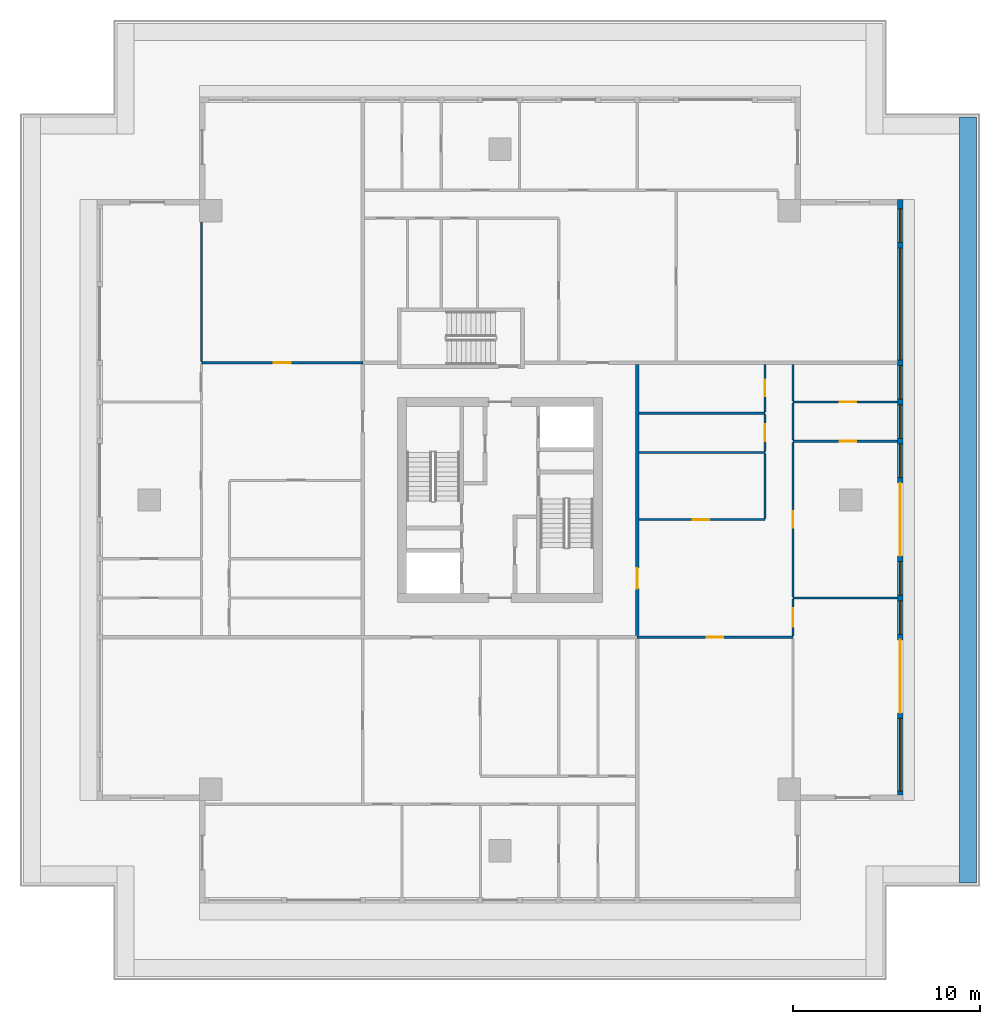
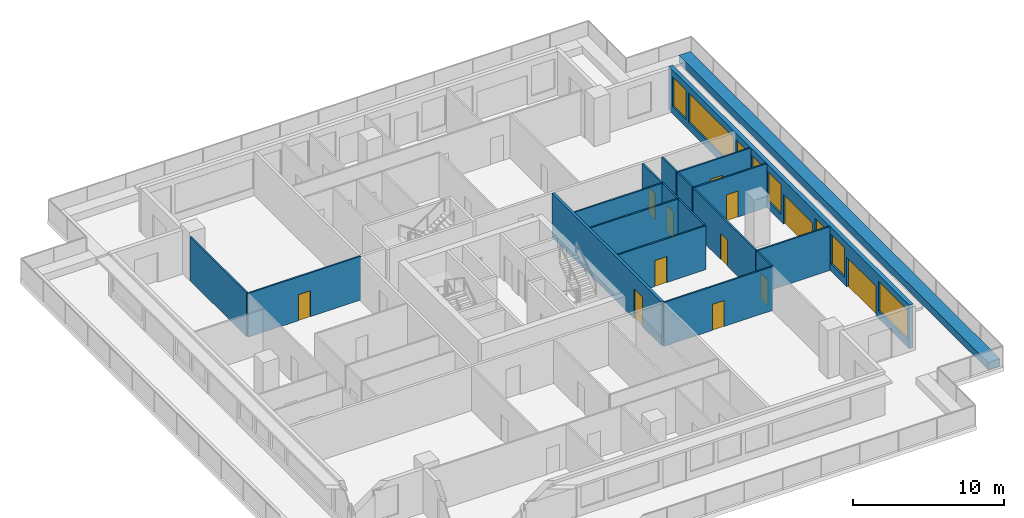
# One storey, part 4 of 11: 19 walls, 12 doors, 8 windows, 20 openings.
"""IFC4 building model written with IfcOpenShell, lengths in metres."""

from ifc_helpers import new_model, si_unit, direction, frame, frame_2d, origin, place, context, subcontext, project, spatial, rectangle, extrude, material, layer, layer_set, type_object, element, fill, save


model = new_model("IFC4")

# Units and contexts
model_context = context("Model", 3, precision=1e-05, world=origin(), true_north=direction((0.0, 1.0)))
body_context = subcontext(model_context, "Body", "Model", "MODEL_VIEW")
ifc_project = project(units=[si_unit("LENGTHUNIT", "METRE"), si_unit("AREAUNIT", "SQUARE_METRE"), si_unit("VOLUMEUNIT", "CUBIC_METRE"), si_unit("PLANEANGLEUNIT", "RADIAN"), si_unit("MASSUNIT", "GRAM", prefix="KILO")], contexts=[model_context])

# Site, building, storey
site_placement = place(None, origin())
site = spatial("IfcSite", under=ifc_project, at=site_placement, CompositionType="ELEMENT")
building_placement = place(site_placement, origin())
building = spatial("IfcBuilding", under=site, at=building_placement, Name="Khepri Terraces", CompositionType="ELEMENT")
storey_placement = place(building_placement, frame((0.0, 0.0, 292.800048828125)))
storey = spatial("IfcBuildingStorey", under=building, at=storey_placement, Name="L70", CompositionType="ELEMENT", Elevation=292.800048828125)

# Wall, opening, door
ifc_material_1 = material(Name="Fire-rated gypsum plasterboard partition, mineral wool")
ifc_layer_1 = layer(ifc_material_1, 0.199951171875, Name="Fire-rated gypsum plasterboard partition, mineral wool")
ifc_layer_set_1 = layer_set([ifc_layer_1], Name="Fire-rated gypsum plasterboard partition, mineral wool")
wall_type_1 = type_object("IfcWallType", Name="WL-CORR-200", PredefinedType="PARTITIONING", material=ifc_layer_set_1)
wall_1_placement = place(storey_placement, frame((7.35009765625, -7.25, 0.0), z_axis=(0.0, 0.0, 1.0), x_axis=(0.0, 1.0, 0.0)))
wall_1 = element("IfcWall", 1, at=wall_1_placement, inside=storey, type_object=wall_type_1, Name="Partition P-019 L70", PredefinedType="PARTITIONING", context=body_context, shape_type="SweptSolid", body=[
    extrude(rectangle(XDim=14.5, YDim=0.199951171875, at=frame_2d((7.25, 0.0))), origin(), (0.0, 0.0, 1.0), 3.550048828125),
])
opening_1_placement = place(wall_1_placement, frame((2.5, 0.0, 0.0)))
opening_1 = element("IfcOpeningElement", 2, at=opening_1_placement, cuts=wall_1, Name="Opening D1", PredefinedType="OPENING", context=body_context, shape_type="SweptSolid", body=[
    extrude(rectangle(XDim=1.10009765625, YDim=2.39990234375, at=frame_2d((0.550048828125, 1.199951171875))), frame((0.0, 0.10986328125, 0.0), z_axis=(0.0, -1.0, 0.0), x_axis=(1.0, 0.0, 0.0)), (0.0, 0.0, 1.0), 0.219970703125),
])
ifc_material_2 = material(Name="Solid-core timber door leaf, flat entrance door", Category="wood")
door_type_1 = type_object("IfcDoorType", Name="DR-ENT-1100", OperationType="NOTDEFINED", PredefinedType="DOOR", material=ifc_material_2)
door_1_placement = place(opening_1_placement, frame((1.10009765625, 0.0, 0.0), z_axis=(0.0, 0.0, 1.0), x_axis=(-1.0, 0.0, 0.0)))
door_1 = element("IfcDoor", 3, at=door_1_placement, inside=storey, type_object=door_type_1, Name="Flat B1 entrance door", OperationType="SINGLE_SWING_RIGHT", OverallHeight=2.39990234375, OverallWidth=1.10009765625, PredefinedType="DOOR", context=body_context, shape_type="SweptSolid", body=[
    extrude(rectangle(XDim=1.10009765625, YDim=2.39990234375, at=frame_2d((0.550048828125, 1.199951171875))), frame((0.0, 0.02490234375, 0.0), z_axis=(0.0, -1.0, 0.0), x_axis=(1.0, 0.0, 0.0)), (0.0, 0.0, 1.0), 0.050048828125),
])
fill(opening_1, door_1)

# Wall, openings, doors, windows
ifc_material_3 = material(Name="Precast concrete C50/60 warm stone", Category="masonry")
ifc_layer_2 = layer(ifc_material_3, 0.300048828125, Name="Precast concrete C50/60 warm stone", Category="masonry")
ifc_layer_set_2 = layer_set([ifc_layer_2], Name="Precast concrete C50/60 warm stone")
wall_type_2 = type_object("IfcWallType", Name="WL-EXT-PRECAST-300", PredefinedType="STANDARD", material=ifc_layer_set_2)
wall_2_placement = place(storey_placement, frame((21.449951171875, -15.800048828125, 0.0), z_axis=(0.0, 0.0, 1.0), x_axis=(0.0, 1.0, 0.0)))
wall_2 = element("IfcWall", 4, at=wall_2_placement, inside=storey, type_object=wall_type_2, Name="External wall L70 E", PredefinedType="STANDARD", context=body_context, shape_type="SweptSolid", body=[
    extrude(rectangle(XDim=31.900146484375, YDim=0.300048828125, at=frame_2d((15.9501953125, 0.0))), origin(), (0.0, 0.0, 1.0), 3.550048828125),
])
opening_2_placement = place(wall_2_placement, frame((0.199951171875, 0.0, 0.60009765625)))
opening_2 = element("IfcOpeningElement", 5, at=opening_2_placement, cuts=wall_2, Name="Opening WC2", PredefinedType="OPENING", context=body_context, shape_type="SweptSolid", body=[
    extrude(rectangle(XDim=3.89990234375, YDim=2.39990234375, at=frame_2d((1.949951171875, 1.199951171875))), frame((0.0, 0.16015625, 0.0), z_axis=(0.0, -1.0, 0.0), x_axis=(1.0, 0.0, 0.0)), (0.0, 0.0, 1.0), 0.320068359375),
])
opening_3_placement = place(wall_2_placement, frame((4.39990234375, 0.0, 0.0)))
opening_3 = element("IfcOpeningElement", 6, at=opening_3_placement, cuts=wall_2, Name="Opening ED-L70-01", PredefinedType="OPENING", context=body_context, shape_type="SweptSolid", body=[
    extrude(rectangle(XDim=3.89990234375, YDim=2.39990234375, at=frame_2d((1.949951171875, 1.199951171875))), frame((0.0, 0.16015625, 0.0), z_axis=(0.0, -1.0, 0.0), x_axis=(1.0, 0.0, 0.0)), (0.0, 0.0, 1.0), 0.320068359375),
])
opening_4_placement = place(wall_2_placement, frame((8.60009765625, 0.0, 0.60009765625)))
opening_4 = element("IfcOpeningElement", 7, at=opening_4_placement, cuts=wall_2, Name="Opening WC1", PredefinedType="OPENING", context=body_context, shape_type="SweptSolid", body=[
    extrude(rectangle(XDim=1.800048828125, YDim=2.39990234375, at=frame_2d((0.89990234375, 1.199951171875))), frame((0.0, 0.16015625, 0.0), z_axis=(0.0, -1.0, 0.0), x_axis=(1.0, 0.0, 0.0)), (0.0, 0.0, 1.0), 0.320068359375),
])
opening_5_placement = place(wall_2_placement, frame((10.699951171875, 0.0, 0.60009765625)))
opening_5 = element("IfcOpeningElement", 8, at=opening_5_placement, cuts=wall_2, Name="Opening WC1", PredefinedType="OPENING", context=body_context, shape_type="SweptSolid", body=[
    extrude(rectangle(XDim=1.800048828125, YDim=2.39990234375, at=frame_2d((0.89990234375, 1.199951171875))), frame((0.0, 0.16015625, 0.0), z_axis=(0.0, -1.0, 0.0), x_axis=(1.0, 0.0, 0.0)), (0.0, 0.0, 1.0), 0.320068359375),
])
opening_6_placement = place(wall_2_placement, frame((12.800048828125, 0.0, 0.0)))
opening_6 = element("IfcOpeningElement", 9, at=opening_6_placement, cuts=wall_2, Name="Opening ED-L70-02", PredefinedType="OPENING", context=body_context, shape_type="SweptSolid", body=[
    extrude(rectangle(XDim=3.89990234375, YDim=2.39990234375, at=frame_2d((1.949951171875, 1.199951171875))), frame((0.0, 0.16015625, 0.0), z_axis=(0.0, -1.0, 0.0), x_axis=(1.0, 0.0, 0.0)), (0.0, 0.0, 1.0), 0.320068359375),
])
opening_7_placement = place(wall_2_placement, frame((17.0, 0.0, 0.60009765625)))
opening_7 = element("IfcOpeningElement", 10, at=opening_7_placement, cuts=wall_2, Name="Opening WC1", PredefinedType="OPENING", context=body_context, shape_type="SweptSolid", body=[
    extrude(rectangle(XDim=1.800048828125, YDim=2.39990234375, at=frame_2d((0.89990234375, 1.199951171875))), frame((0.0, 0.16015625, 0.0), z_axis=(0.0, -1.0, 0.0), x_axis=(1.0, 0.0, 0.0)), (0.0, 0.0, 1.0), 0.320068359375),
])
opening_8_placement = place(wall_2_placement, frame((19.10009765625, 0.0, 0.60009765625)))
opening_8 = element("IfcOpeningElement", 11, at=opening_8_placement, cuts=wall_2, Name="Opening WC1", PredefinedType="OPENING", context=body_context, shape_type="SweptSolid", body=[
    extrude(rectangle(XDim=1.800048828125, YDim=2.39990234375, at=frame_2d((0.89990234375, 1.199951171875))), frame((0.0, 0.16015625, 0.0), z_axis=(0.0, -1.0, 0.0), x_axis=(1.0, 0.0, 0.0)), (0.0, 0.0, 1.0), 0.320068359375),
])
opening_9_placement = place(wall_2_placement, frame((21.199951171875, 0.0, 0.60009765625)))
opening_9 = element("IfcOpeningElement", 12, at=opening_9_placement, cuts=wall_2, Name="Opening WC1", PredefinedType="OPENING", context=body_context, shape_type="SweptSolid", body=[
    extrude(rectangle(XDim=1.800048828125, YDim=2.39990234375, at=frame_2d((0.89990234375, 1.199951171875))), frame((0.0, 0.16015625, 0.0), z_axis=(0.0, -1.0, 0.0), x_axis=(1.0, 0.0, 0.0)), (0.0, 0.0, 1.0), 0.320068359375),
])
opening_10_placement = place(wall_2_placement, frame((23.300048828125, 0.0, 0.60009765625)))
opening_10 = element("IfcOpeningElement", 13, at=opening_10_placement, cuts=wall_2, Name="Opening WC3", PredefinedType="OPENING", context=body_context, shape_type="SweptSolid", body=[
    extrude(rectangle(XDim=6.0, YDim=2.39990234375, at=frame_2d((3.0, 1.199951171875))), frame((0.0, 0.16015625, 0.0), z_axis=(0.0, -1.0, 0.0), x_axis=(1.0, 0.0, 0.0)), (0.0, 0.0, 1.0), 0.320068359375),
])
opening_11_placement = place(wall_2_placement, frame((29.60009765625, 0.0, 0.60009765625)))
opening_11 = element("IfcOpeningElement", 14, at=opening_11_placement, cuts=wall_2, Name="Opening WC1", PredefinedType="OPENING", context=body_context, shape_type="SweptSolid", body=[
    extrude(rectangle(XDim=1.800048828125, YDim=2.39990234375, at=frame_2d((0.89990234375, 1.199951171875))), frame((0.0, 0.16015625, 0.0), z_axis=(0.0, -1.0, 0.0), x_axis=(1.0, 0.0, 0.0)), (0.0, 0.0, 1.0), 0.320068359375),
])
ifc_material_4 = material(Name="Anodised aluminium bronze glazed door", Category="aluminium")
door_type_2 = type_object("IfcDoorType", Name="DR-BAL-SLIDE-3900x2400", OperationType="NOTDEFINED", PredefinedType="DOOR", material=ifc_material_4)
door_2_placement = place(opening_3_placement, origin())
door_2 = element("IfcDoor", 15, at=door_2_placement, inside=storey, type_object=door_type_2, Name="Balcony door L70 E", OperationType="SLIDING_TO_RIGHT", OverallHeight=2.39990234375, OverallWidth=3.89990234375, PredefinedType="DOOR", context=body_context, shape_type="SweptSolid", body=[
    extrude(rectangle(XDim=3.89990234375, YDim=2.39990234375, at=frame_2d((1.949951171875, 1.199951171875))), frame((0.0, 0.02490234375, 0.0), z_axis=(0.0, -1.0, 0.0), x_axis=(1.0, 0.0, 0.0)), (0.0, 0.0, 1.0), 0.050048828125),
])
fill(opening_3, door_2)
door_3_placement = place(opening_6_placement, origin())
door_3 = element("IfcDoor", 16, at=door_3_placement, inside=storey, type_object=door_type_2, Name="Balcony door L70 E", OperationType="SLIDING_TO_RIGHT", OverallHeight=2.39990234375, OverallWidth=3.89990234375, PredefinedType="DOOR", context=body_context, shape_type="SweptSolid", body=[
    extrude(rectangle(XDim=3.89990234375, YDim=2.39990234375, at=frame_2d((1.949951171875, 1.199951171875))), frame((0.0, 0.02490234375, 0.0), z_axis=(0.0, -1.0, 0.0), x_axis=(1.0, 0.0, 0.0)), (0.0, 0.0, 1.0), 0.050048828125),
])
fill(opening_6, door_3)
ifc_material_5 = material(Name="Clear glass", Category="glass")
window_type_1 = type_object("IfcWindowType", Name="WIN-CRN-1800x2400", PartitioningType="SINGLE_PANEL", PredefinedType="WINDOW", material=ifc_material_5)
window_1_placement = place(opening_4_placement, origin())
window_1 = element("IfcWindow", 17, at=window_1_placement, inside=storey, type_object=window_type_1, Name="Window L70 E", OverallHeight=2.39990234375, OverallWidth=1.800048828125, PartitioningType="SINGLE_PANEL", PredefinedType="WINDOW", context=body_context, shape_type="SweptSolid", body=[
    extrude(rectangle(XDim=1.800048828125, YDim=2.39990234375, at=frame_2d((0.89990234375, 1.199951171875))), frame((0.0, 0.030029296875, 0.0), z_axis=(0.0, -1.0, 0.0), x_axis=(1.0, 0.0, 0.0)), (0.0, 0.0, 1.0), 0.06005859375),
])
fill(opening_4, window_1)
window_2_placement = place(opening_5_placement, origin())
window_2 = element("IfcWindow", 18, at=window_2_placement, inside=storey, type_object=window_type_1, Name="Window L70 E", OverallHeight=2.39990234375, OverallWidth=1.800048828125, PartitioningType="SINGLE_PANEL", PredefinedType="WINDOW", context=body_context, shape_type="SweptSolid", body=[
    extrude(rectangle(XDim=1.800048828125, YDim=2.39990234375, at=frame_2d((0.89990234375, 1.199951171875))), frame((0.0, 0.030029296875, 0.0), z_axis=(0.0, -1.0, 0.0), x_axis=(1.0, 0.0, 0.0)), (0.0, 0.0, 1.0), 0.06005859375),
])
fill(opening_5, window_2)
window_3_placement = place(opening_7_placement, origin())
window_3 = element("IfcWindow", 19, at=window_3_placement, inside=storey, type_object=window_type_1, Name="Window L70 E", OverallHeight=2.39990234375, OverallWidth=1.800048828125, PartitioningType="SINGLE_PANEL", PredefinedType="WINDOW", context=body_context, shape_type="SweptSolid", body=[
    extrude(rectangle(XDim=1.800048828125, YDim=2.39990234375, at=frame_2d((0.89990234375, 1.199951171875))), frame((0.0, 0.030029296875, 0.0), z_axis=(0.0, -1.0, 0.0), x_axis=(1.0, 0.0, 0.0)), (0.0, 0.0, 1.0), 0.06005859375),
])
fill(opening_7, window_3)
window_4_placement = place(opening_8_placement, origin())
window_4 = element("IfcWindow", 20, at=window_4_placement, inside=storey, type_object=window_type_1, Name="Window L70 E", OverallHeight=2.39990234375, OverallWidth=1.800048828125, PartitioningType="SINGLE_PANEL", PredefinedType="WINDOW", context=body_context, shape_type="SweptSolid", body=[
    extrude(rectangle(XDim=1.800048828125, YDim=2.39990234375, at=frame_2d((0.89990234375, 1.199951171875))), frame((0.0, 0.030029296875, 0.0), z_axis=(0.0, -1.0, 0.0), x_axis=(1.0, 0.0, 0.0)), (0.0, 0.0, 1.0), 0.06005859375),
])
fill(opening_8, window_4)
window_5_placement = place(opening_9_placement, origin())
window_5 = element("IfcWindow", 21, at=window_5_placement, inside=storey, type_object=window_type_1, Name="Window L70 E", OverallHeight=2.39990234375, OverallWidth=1.800048828125, PartitioningType="SINGLE_PANEL", PredefinedType="WINDOW", context=body_context, shape_type="SweptSolid", body=[
    extrude(rectangle(XDim=1.800048828125, YDim=2.39990234375, at=frame_2d((0.89990234375, 1.199951171875))), frame((0.0, 0.030029296875, 0.0), z_axis=(0.0, -1.0, 0.0), x_axis=(1.0, 0.0, 0.0)), (0.0, 0.0, 1.0), 0.06005859375),
])
fill(opening_9, window_5)
window_6_placement = place(opening_11_placement, origin())
window_6 = element("IfcWindow", 22, at=window_6_placement, inside=storey, type_object=window_type_1, Name="Window L70 E", OverallHeight=2.39990234375, OverallWidth=1.800048828125, PartitioningType="SINGLE_PANEL", PredefinedType="WINDOW", context=body_context, shape_type="SweptSolid", body=[
    extrude(rectangle(XDim=1.800048828125, YDim=2.39990234375, at=frame_2d((0.89990234375, 1.199951171875))), frame((0.0, 0.030029296875, 0.0), z_axis=(0.0, -1.0, 0.0), x_axis=(1.0, 0.0, 0.0)), (0.0, 0.0, 1.0), 0.06005859375),
])
fill(opening_11, window_6)
window_type_2 = type_object("IfcWindowType", Name="WIN-CRN-3900x2400", PartitioningType="SINGLE_PANEL", PredefinedType="WINDOW", material=ifc_material_5)
window_7_placement = place(opening_2_placement, origin())
window_7 = element("IfcWindow", 23, at=window_7_placement, inside=storey, type_object=window_type_2, Name="Window L70 E", OverallHeight=2.39990234375, OverallWidth=3.89990234375, PartitioningType="SINGLE_PANEL", PredefinedType="WINDOW", context=body_context, shape_type="SweptSolid", body=[
    extrude(rectangle(XDim=3.89990234375, YDim=2.39990234375, at=frame_2d((1.949951171875, 1.199951171875))), frame((0.0, 0.030029296875, 0.0), z_axis=(0.0, -1.0, 0.0), x_axis=(1.0, 0.0, 0.0)), (0.0, 0.0, 1.0), 0.06005859375),
])
fill(opening_2, window_7)
window_type_3 = type_object("IfcWindowType", Name="WIN-CRN-6000x2400", PartitioningType="SINGLE_PANEL", PredefinedType="WINDOW", material=ifc_material_5)
window_8_placement = place(opening_10_placement, origin())
window_8 = element("IfcWindow", 24, at=window_8_placement, inside=storey, type_object=window_type_3, Name="Window L70 E", OverallHeight=2.39990234375, OverallWidth=6.0, PartitioningType="SINGLE_PANEL", PredefinedType="WINDOW", context=body_context, shape_type="SweptSolid", body=[
    extrude(rectangle(XDim=6.0, YDim=2.39990234375, at=frame_2d((3.0, 1.199951171875))), frame((0.0, 0.030029296875, 0.0), z_axis=(0.0, -1.0, 0.0), x_axis=(1.0, 0.0, 0.0)), (0.0, 0.0, 1.0), 0.06005859375),
])
fill(opening_10, window_8)

# Wall, opening, door
ifc_material_6 = material(Name="Gypsum plasterboard partition")
ifc_layer_3 = layer(ifc_material_6, 0.1201171875, Name="Gypsum plasterboard partition")
ifc_layer_set_3 = layer_set([ifc_layer_3], Name="Gypsum plasterboard partition")
wall_type_3 = type_object("IfcWallType", Name="WL-PART-120", PredefinedType="PARTITIONING", material=ifc_layer_set_3)
wall_3_placement = place(storey_placement, frame((7.35009765625, -7.35009765625, 0.0), z_axis=(0.0, 0.0, 1.0), x_axis=(1.0, 0.0, 0.0)))
wall_3 = element("IfcWall", 25, at=wall_3_placement, inside=storey, type_object=wall_type_3, Name="Partition P-014 L70", PredefinedType="PARTITIONING", context=body_context, shape_type="SweptSolid", body=[
    extrude(rectangle(XDim=8.349853515625, YDim=0.1201171875, at=frame_2d((4.1748046875, 0.0))), origin(), (0.0, 0.0, 1.0), 3.550048828125),
])
opening_12_placement = place(wall_3_placement, frame((3.72509765625, 0.0, 0.0)))
opening_12 = element("IfcOpeningElement", 26, at=opening_12_placement, cuts=wall_3, Name="Opening D3", PredefinedType="OPENING", context=body_context, shape_type="SweptSolid", body=[
    extrude(rectangle(XDim=0.89990234375, YDim=2.10009765625, at=frame_2d((0.449951171875, 1.050048828125))), frame((0.0, 0.070068359375, 0.0), z_axis=(0.0, -1.0, 0.0), x_axis=(1.0, 0.0, 0.0)), (0.0, 0.0, 1.0), 0.14013671875),
])
ifc_material_7 = material(Name="Timber door leaf", Category="wood")
door_type_3 = type_object("IfcDoorType", Name="DR-INT-900", OperationType="NOTDEFINED", PredefinedType="DOOR", material=ifc_material_7)
door_4_placement = place(opening_12_placement, frame((0.89990234375, 0.0, 0.0), z_axis=(0.0, 0.0, 1.0), x_axis=(-1.0, 0.0, 0.0)))
door_4 = element("IfcDoor", 27, at=door_4_placement, inside=storey, type_object=door_type_3, Name="Door Home Cinema", OperationType="SINGLE_SWING_RIGHT", OverallHeight=2.10009765625, OverallWidth=0.89990234375, PredefinedType="DOOR", context=body_context, shape_type="SweptSolid", body=[
    extrude(rectangle(XDim=0.89990234375, YDim=2.10009765625, at=frame_2d((0.449951171875, 1.050048828125))), frame((0.0, 0.02490234375, 0.0), z_axis=(0.0, -1.0, 0.0), x_axis=(1.0, 0.0, 0.0)), (0.0, 0.0, 1.0), 0.050048828125),
])
fill(opening_12, door_4)

wall_4_placement = place(storey_placement, frame((15.699951171875, -7.2900390625, 0.0), z_axis=(0.0, 0.0, 1.0), x_axis=(0.0, 1.0, 0.0)))
wall_4 = element("IfcWall", 28, at=wall_4_placement, inside=storey, type_object=wall_type_3, Name="Partition P-015 L70", PredefinedType="PARTITIONING", context=body_context, shape_type="SweptSolid", body=[
    extrude(rectangle(XDim=1.97998046875, YDim=0.1201171875, at=frame_2d((0.989990234375, 0.0))), origin(), (0.0, 0.0, 1.0), 3.550048828125),
])
opening_13_placement = place(wall_4_placement, frame((0.489990234375, 0.0, 0.0)))
opening_13 = element("IfcOpeningElement", 29, at=opening_13_placement, cuts=wall_4, Name="Opening D2", PredefinedType="OPENING", context=body_context, shape_type="SweptSolid", body=[
    extrude(rectangle(XDim=1.0, YDim=2.10009765625, at=frame_2d((0.5, 1.050048828125))), frame((0.0, 0.070068359375, 0.0), z_axis=(0.0, -1.0, 0.0), x_axis=(1.0, 0.0, 0.0)), (0.0, 0.0, 1.0), 0.14013671875),
])
ifc_material_8 = material(Name="Timber door leaf, living room door", Category="wood")
door_type_4 = type_object("IfcDoorType", Name="DR-INT-1000", OperationType="NOTDEFINED", PredefinedType="DOOR", material=ifc_material_8)
door_5_placement = place(opening_13_placement, frame((1.0, 0.0, 0.0), z_axis=(0.0, 0.0, 1.0), x_axis=(-1.0, 0.0, 0.0)))
door_5 = element("IfcDoor", 30, at=door_5_placement, inside=storey, type_object=door_type_4, Name="Door Living Room", OperationType="SINGLE_SWING_LEFT", OverallHeight=2.10009765625, OverallWidth=1.0, PredefinedType="DOOR", context=body_context, shape_type="SweptSolid", body=[
    extrude(rectangle(XDim=1.0, YDim=2.10009765625, at=frame_2d((0.5, 1.050048828125))), frame((0.0, 0.02490234375, 0.0), z_axis=(0.0, -1.0, 0.0), x_axis=(1.0, 0.0, 0.0)), (0.0, 0.0, 1.0), 0.050048828125),
])
fill(opening_13, door_5)

# Wall
wall_5_placement = place(storey_placement, frame((15.699951171875, -5.25, 0.0), z_axis=(0.0, 0.0, 1.0), x_axis=(1.0, 0.0, 0.0)))
element("IfcWall", 31, at=wall_5_placement, inside=storey, type_object=wall_type_3, Name="Partition P-022 L70", PredefinedType="PARTITIONING", context=body_context, shape_type="SweptSolid", body=[
    extrude(rectangle(XDim=5.60009765625, YDim=0.1201171875, at=frame_2d((2.800048828125, 0.0))), origin(), (0.0, 0.0, 1.0), 3.550048828125),
])

# Wall, opening, door
wall_6_placement = place(storey_placement, frame((15.699951171875, -5.18994140625, 0.0), z_axis=(0.0, 0.0, 1.0), x_axis=(0.0, 1.0, 0.0)))
wall_6 = element("IfcWall", 32, at=wall_6_placement, inside=storey, type_object=wall_type_3, Name="Partition P-025 L70", PredefinedType="PARTITIONING", context=body_context, shape_type="SweptSolid", body=[
    extrude(rectangle(XDim=8.280029296875, YDim=0.1201171875, at=frame_2d((4.14013671875, 0.0))), origin(), (0.0, 0.0, 1.0), 3.550048828125),
])
opening_14_placement = place(wall_6_placement, frame((3.68994140625, 0.0, 0.0)))
opening_14 = element("IfcOpeningElement", 33, at=opening_14_placement, cuts=wall_6, Name="Opening D3", PredefinedType="OPENING", context=body_context, shape_type="SweptSolid", body=[
    extrude(rectangle(XDim=0.89990234375, YDim=2.10009765625, at=frame_2d((0.449951171875, 1.050048828125))), frame((0.0, 0.070068359375, 0.0), z_axis=(0.0, -1.0, 0.0), x_axis=(1.0, 0.0, 0.0)), (0.0, 0.0, 1.0), 0.14013671875),
])
door_6_placement = place(opening_14_placement, frame((0.89990234375, 0.0, 0.0), z_axis=(0.0, 0.0, 1.0), x_axis=(-1.0, 0.0, 0.0)))
door_6 = element("IfcDoor", 34, at=door_6_placement, inside=storey, type_object=door_type_3, Name="Door Master Bedroom", OperationType="SINGLE_SWING_LEFT", OverallHeight=2.10009765625, OverallWidth=0.89990234375, PredefinedType="DOOR", context=body_context, shape_type="SweptSolid", body=[
    extrude(rectangle(XDim=0.89990234375, YDim=2.10009765625, at=frame_2d((0.449951171875, 1.050048828125))), frame((0.0, 0.02490234375, 0.0), z_axis=(0.0, -1.0, 0.0), x_axis=(1.0, 0.0, 0.0)), (0.0, 0.0, 1.0), 0.050048828125),
])
fill(opening_14, door_6)

wall_7_placement = place(storey_placement, frame((7.449951171875, -1.050048828125, 0.0), z_axis=(0.0, 0.0, 1.0), x_axis=(1.0, 0.0, 0.0)))
wall_7 = element("IfcWall", 35, at=wall_7_placement, inside=storey, type_object=wall_type_3, Name="Partition P-030 L70", PredefinedType="PARTITIONING", context=body_context, shape_type="SweptSolid", body=[
    extrude(rectangle(XDim=6.75, YDim=0.1201171875, at=frame_2d((3.375, 0.0))), origin(), (0.0, 0.0, 1.0), 3.550048828125),
])
opening_15_placement = place(wall_7_placement, frame((2.875, 0.0, 0.0)))
opening_15 = element("IfcOpeningElement", 36, at=opening_15_placement, cuts=wall_7, Name="Opening D3", PredefinedType="OPENING", context=body_context, shape_type="SweptSolid", body=[
    extrude(rectangle(XDim=0.89990234375, YDim=2.10009765625, at=frame_2d((0.449951171875, 1.050048828125))), frame((0.0, 0.070068359375, 0.0), z_axis=(0.0, -1.0, 0.0), x_axis=(1.0, 0.0, 0.0)), (0.0, 0.0, 1.0), 0.14013671875),
])
door_7_placement = place(opening_15_placement, origin())
door_7 = element("IfcDoor", 37, at=door_7_placement, inside=storey, type_object=door_type_3, Name="Door Kitchen", OperationType="SINGLE_SWING_LEFT", OverallHeight=2.10009765625, OverallWidth=0.89990234375, PredefinedType="DOOR", context=body_context, shape_type="SweptSolid", body=[
    extrude(rectangle(XDim=0.89990234375, YDim=2.10009765625, at=frame_2d((0.449951171875, 1.050048828125))), frame((0.0, 0.02490234375, 0.0), z_axis=(0.0, -1.0, 0.0), x_axis=(1.0, 0.0, 0.0)), (0.0, 0.0, 1.0), 0.050048828125),
])
fill(opening_15, door_7)

# Walls
wall_8_placement = place(storey_placement, frame((14.199951171875, -0.989990234375, 0.0), z_axis=(0.0, 0.0, 1.0), x_axis=(0.0, 1.0, 0.0)))
element("IfcWall", 38, at=wall_8_placement, inside=storey, type_object=wall_type_3, Name="Partition P-031 L70", PredefinedType="PARTITIONING", context=body_context, shape_type="SweptSolid", body=[
    extrude(rectangle(XDim=3.47998046875, YDim=0.1201171875, at=frame_2d((1.739990234375, 0.0))), origin(), (0.0, 0.0, 1.0), 3.550048828125),
])
wall_9_placement = place(storey_placement, frame((7.449951171875, 2.550048828125, 0.0), z_axis=(0.0, 0.0, 1.0), x_axis=(1.0, 0.0, 0.0)))
element("IfcWall", 39, at=wall_9_placement, inside=storey, type_object=wall_type_3, Name="Partition P-033 L70", PredefinedType="PARTITIONING", context=body_context, shape_type="SweptSolid", body=[
    extrude(rectangle(XDim=6.75, YDim=0.1201171875, at=frame_2d((3.375, 0.0))), origin(), (0.0, 0.0, 1.0), 3.550048828125),
])

# Wall, opening, door
wall_10_placement = place(storey_placement, frame((14.199951171875, 2.610107421875, 0.0), z_axis=(0.0, 0.0, 1.0), x_axis=(0.0, 1.0, 0.0)))
wall_10 = element("IfcWall", 40, at=wall_10_placement, inside=storey, type_object=wall_type_3, Name="Partition P-034 L70", PredefinedType="PARTITIONING", context=body_context, shape_type="SweptSolid", body=[
    extrude(rectangle(XDim=1.97998046875, YDim=0.1201171875, at=frame_2d((0.989990234375, 0.0))), origin(), (0.0, 0.0, 1.0), 3.550048828125),
])
opening_16_placement = place(wall_10_placement, frame((0.5400390625, 0.0, 0.0)))
opening_16 = element("IfcOpeningElement", 41, at=opening_16_placement, cuts=wall_10, Name="Opening D4", PredefinedType="OPENING", context=body_context, shape_type="SweptSolid", body=[
    extrude(rectangle(XDim=0.89990234375, YDim=2.10009765625, at=frame_2d((0.449951171875, 1.050048828125))), frame((0.0, 0.070068359375, 0.0), z_axis=(0.0, -1.0, 0.0), x_axis=(1.0, 0.0, 0.0)), (0.0, 0.0, 1.0), 0.14013671875),
])
ifc_material_9 = material(Name="Timber door leaf, moisture resistant", Category="wood")
door_type_5 = type_object("IfcDoorType", Name="DR-WET-900", OperationType="NOTDEFINED", PredefinedType="DOOR", material=ifc_material_9)
door_8_placement = place(opening_16_placement, origin())
door_8 = element("IfcDoor", 42, at=door_8_placement, inside=storey, type_object=door_type_5, Name="Door Guest Bathroom", OperationType="SINGLE_SWING_RIGHT", OverallHeight=2.10009765625, OverallWidth=0.89990234375, PredefinedType="DOOR", context=body_context, shape_type="SweptSolid", body=[
    extrude(rectangle(XDim=0.89990234375, YDim=2.10009765625, at=frame_2d((0.449951171875, 1.050048828125))), frame((0.0, 0.02490234375, 0.0), z_axis=(0.0, -1.0, 0.0), x_axis=(1.0, 0.0, 0.0)), (0.0, 0.0, 1.0), 0.050048828125),
])
fill(opening_16, door_8)

wall_11_placement = place(storey_placement, frame((15.699951171875, 3.14990234375, 0.0), z_axis=(0.0, 0.0, 1.0), x_axis=(1.0, 0.0, 0.0)))
wall_11 = element("IfcWall", 43, at=wall_11_placement, inside=storey, type_object=wall_type_3, Name="Partition P-035 L70", PredefinedType="PARTITIONING", context=body_context, shape_type="SweptSolid", body=[
    extrude(rectangle(XDim=5.60009765625, YDim=0.1201171875, at=frame_2d((2.800048828125, 0.0))), origin(), (0.0, 0.0, 1.0), 3.550048828125),
])
opening_17_placement = place(wall_11_placement, frame((2.5, 0.0, 0.0)))
opening_17 = element("IfcOpeningElement", 44, at=opening_17_placement, cuts=wall_11, Name="Opening D3", PredefinedType="OPENING", context=body_context, shape_type="SweptSolid", body=[
    extrude(rectangle(XDim=0.89990234375, YDim=2.10009765625, at=frame_2d((0.449951171875, 1.050048828125))), frame((0.0, 0.070068359375, 0.0), z_axis=(0.0, -1.0, 0.0), x_axis=(1.0, 0.0, 0.0)), (0.0, 0.0, 1.0), 0.14013671875),
])
door_9_placement = place(opening_17_placement, origin())
door_9 = element("IfcDoor", 45, at=door_9_placement, inside=storey, type_object=door_type_3, Name="Door Dressing Room", OperationType="SINGLE_SWING_RIGHT", OverallHeight=2.10009765625, OverallWidth=0.89990234375, PredefinedType="DOOR", context=body_context, shape_type="SweptSolid", body=[
    extrude(rectangle(XDim=0.89990234375, YDim=2.10009765625, at=frame_2d((0.449951171875, 1.050048828125))), frame((0.0, 0.02490234375, 0.0), z_axis=(0.0, -1.0, 0.0), x_axis=(1.0, 0.0, 0.0)), (0.0, 0.0, 1.0), 0.050048828125),
])
fill(opening_17, door_9)

# Walls
wall_12_placement = place(storey_placement, frame((15.699951171875, 3.2099609375, 0.0), z_axis=(0.0, 0.0, 1.0), x_axis=(0.0, 1.0, 0.0)))
element("IfcWall", 46, at=wall_12_placement, inside=storey, type_object=wall_type_3, Name="Partition P-036 L70", PredefinedType="PARTITIONING", context=body_context, shape_type="SweptSolid", body=[
    extrude(rectangle(XDim=1.97998046875, YDim=0.1201171875, at=frame_2d((0.989990234375, 0.0))), origin(), (0.0, 0.0, 1.0), 3.550048828125),
])
wall_13_placement = place(storey_placement, frame((7.449951171875, 4.64990234375, 0.0), z_axis=(0.0, 0.0, 1.0), x_axis=(1.0, 0.0, 0.0)))
element("IfcWall", 47, at=wall_13_placement, inside=storey, type_object=wall_type_3, Name="Partition P-037 L70", PredefinedType="PARTITIONING", context=body_context, shape_type="SweptSolid", body=[
    extrude(rectangle(XDim=6.75, YDim=0.1201171875, at=frame_2d((3.375, 0.0))), origin(), (0.0, 0.0, 1.0), 3.550048828125),
])

# Wall, opening, door
wall_14_placement = place(storey_placement, frame((14.199951171875, 4.7099609375, 0.0), z_axis=(0.0, 0.0, 1.0), x_axis=(0.0, 1.0, 0.0)))
wall_14 = element("IfcWall", 48, at=wall_14_placement, inside=storey, type_object=wall_type_3, Name="Partition P-038 L70", PredefinedType="PARTITIONING", context=body_context, shape_type="SweptSolid", body=[
    extrude(rectangle(XDim=2.5400390625, YDim=0.1201171875, at=frame_2d((1.27001953125, 0.0))), origin(), (0.0, 0.0, 1.0), 3.550048828125),
])
opening_18_placement = place(wall_14_placement, frame((0.840087890625, 0.0, 0.0)))
opening_18 = element("IfcOpeningElement", 49, at=opening_18_placement, cuts=wall_14, Name="Opening D4", PredefinedType="OPENING", context=body_context, shape_type="SweptSolid", body=[
    extrude(rectangle(XDim=0.89990234375, YDim=2.10009765625, at=frame_2d((0.449951171875, 1.050048828125))), frame((0.0, 0.070068359375, 0.0), z_axis=(0.0, -1.0, 0.0), x_axis=(1.0, 0.0, 0.0)), (0.0, 0.0, 1.0), 0.14013671875),
])
door_10_placement = place(opening_18_placement, origin())
door_10 = element("IfcDoor", 50, at=door_10_placement, inside=storey, type_object=door_type_5, Name="Door Powder Room", OperationType="SINGLE_SWING_RIGHT", OverallHeight=2.10009765625, OverallWidth=0.89990234375, PredefinedType="DOOR", context=body_context, shape_type="SweptSolid", body=[
    extrude(rectangle(XDim=0.89990234375, YDim=2.10009765625, at=frame_2d((0.449951171875, 1.050048828125))), frame((0.0, 0.02490234375, 0.0), z_axis=(0.0, -1.0, 0.0), x_axis=(1.0, 0.0, 0.0)), (0.0, 0.0, 1.0), 0.050048828125),
])
fill(opening_18, door_10)

wall_15_placement = place(storey_placement, frame((15.699951171875, 5.25, 0.0), z_axis=(0.0, 0.0, 1.0), x_axis=(1.0, 0.0, 0.0)))
wall_15 = element("IfcWall", 51, at=wall_15_placement, inside=storey, type_object=wall_type_3, Name="Partition P-040 L70", PredefinedType="PARTITIONING", context=body_context, shape_type="SweptSolid", body=[
    extrude(rectangle(XDim=5.60009765625, YDim=0.1201171875, at=frame_2d((2.800048828125, 0.0))), origin(), (0.0, 0.0, 1.0), 3.550048828125),
])
opening_19_placement = place(wall_15_placement, frame((2.5, 0.0, 0.0)))
opening_19 = element("IfcOpeningElement", 52, at=opening_19_placement, cuts=wall_15, Name="Opening D4", PredefinedType="OPENING", context=body_context, shape_type="SweptSolid", body=[
    extrude(rectangle(XDim=0.89990234375, YDim=2.10009765625, at=frame_2d((0.449951171875, 1.050048828125))), frame((0.0, 0.070068359375, 0.0), z_axis=(0.0, -1.0, 0.0), x_axis=(1.0, 0.0, 0.0)), (0.0, 0.0, 1.0), 0.14013671875),
])
door_11_placement = place(opening_19_placement, origin())
door_11 = element("IfcDoor", 53, at=door_11_placement, inside=storey, type_object=door_type_5, Name="Door Bathroom", OperationType="SINGLE_SWING_RIGHT", OverallHeight=2.10009765625, OverallWidth=0.89990234375, PredefinedType="DOOR", context=body_context, shape_type="SweptSolid", body=[
    extrude(rectangle(XDim=0.89990234375, YDim=2.10009765625, at=frame_2d((0.449951171875, 1.050048828125))), frame((0.0, 0.02490234375, 0.0), z_axis=(0.0, -1.0, 0.0), x_axis=(1.0, 0.0, 0.0)), (0.0, 0.0, 1.0), 0.050048828125),
])
fill(opening_19, door_11)

# Wall
wall_16_placement = place(storey_placement, frame((15.699951171875, 5.31005859375, 0.0), z_axis=(0.0, 0.0, 1.0), x_axis=(0.0, 1.0, 0.0)))
element("IfcWall", 54, at=wall_16_placement, inside=storey, type_object=wall_type_3, Name="Partition P-042 L70", PredefinedType="PARTITIONING", context=body_context, shape_type="SweptSolid", body=[
    extrude(rectangle(XDim=1.93994140625, YDim=0.1201171875, at=frame_2d((0.969970703125, 0.0))), origin(), (0.0, 0.0, 1.0), 3.550048828125),
])

# Wall, opening, door
wall_17_placement = place(storey_placement, frame((-16.0, 7.35009765625, 0.0), z_axis=(0.0, 0.0, 1.0), x_axis=(1.0, 0.0, 0.0)))
wall_17 = element("IfcWall", 55, at=wall_17_placement, inside=storey, type_object=wall_type_3, Name="Partition P-043 L70", PredefinedType="PARTITIONING", context=body_context, shape_type="SweptSolid", body=[
    extrude(rectangle(XDim=8.64990234375, YDim=0.1201171875, at=frame_2d((4.324951171875, 0.0))), origin(), (0.0, 0.0, 1.0), 3.550048828125),
])
opening_20_placement = place(wall_17_placement, frame((3.875, 0.0, 0.0)))
opening_20 = element("IfcOpeningElement", 56, at=opening_20_placement, cuts=wall_17, Name="Opening D3", PredefinedType="OPENING", context=body_context, shape_type="SweptSolid", body=[
    extrude(rectangle(XDim=0.89990234375, YDim=2.10009765625, at=frame_2d((0.449951171875, 1.050048828125))), frame((0.0, 0.070068359375, 0.0), z_axis=(0.0, -1.0, 0.0), x_axis=(1.0, 0.0, 0.0)), (0.0, 0.0, 1.0), 0.14013671875),
])
door_12_placement = place(opening_20_placement, origin())
door_12 = element("IfcDoor", 57, at=door_12_placement, inside=storey, type_object=door_type_3, Name="Door Library", OperationType="SINGLE_SWING_LEFT", OverallHeight=2.10009765625, OverallWidth=0.89990234375, PredefinedType="DOOR", context=body_context, shape_type="SweptSolid", body=[
    extrude(rectangle(XDim=0.89990234375, YDim=2.10009765625, at=frame_2d((0.449951171875, 1.050048828125))), frame((0.0, 0.02490234375, 0.0), z_axis=(0.0, -1.0, 0.0), x_axis=(1.0, 0.0, 0.0)), (0.0, 0.0, 1.0), 0.050048828125),
])
fill(opening_20, door_12)

# Walls
wall_18_placement = place(storey_placement, frame((-16.0, 7.409912109375, 0.0), z_axis=(0.0, 0.0, 1.0), x_axis=(0.0, 1.0, 0.0)))
element("IfcWall", 58, at=wall_18_placement, inside=storey, type_object=wall_type_3, Name="Partition P-046 L70", PredefinedType="PARTITIONING", context=body_context, shape_type="SweptSolid", body=[
    extrude(rectangle(XDim=7.489990234375, YDim=0.1201171875, at=frame_2d((3.7451171875, 0.0))), origin(), (0.0, 0.0, 1.0), 3.550048828125),
])
ifc_layer_4 = layer(ifc_material_3, 0.89990234375, Name="Precast concrete C50/60 warm stone", Category="masonry")
ifc_layer_set_4 = layer_set([ifc_layer_4], Name="Precast concrete C50/60 warm stone")
wall_type_4 = type_object("IfcWallType", Name="WL-PLANTER-900", PredefinedType="MOVABLE", material=ifc_layer_set_4)
wall_19_placement = place(storey_placement, frame((25.070068359375, -20.52001953125, 0.0), z_axis=(0.0, 0.0, 1.0), x_axis=(0.0, 1.0, 0.0)))
element("IfcWall", 59, at=wall_19_placement, inside=storey, type_object=wall_type_4, Name="Planter L70", PredefinedType="MOVABLE", context=body_context, shape_type="SweptSolid", body=[
    extrude(rectangle(XDim=41.0400390625, YDim=0.89990234375, at=frame_2d((20.52001953125, 0.0))), origin(), (0.0, 0.0, 1.0), 0.599853515625),
])

save(model, "model.ifc")
